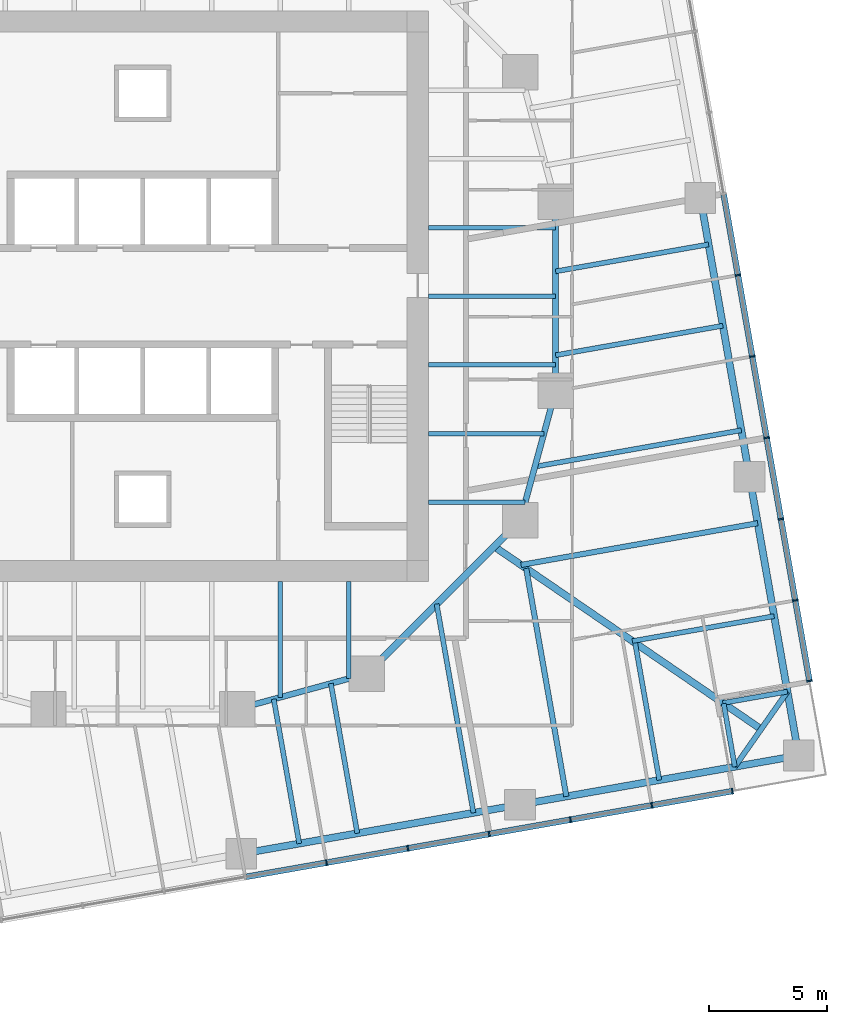
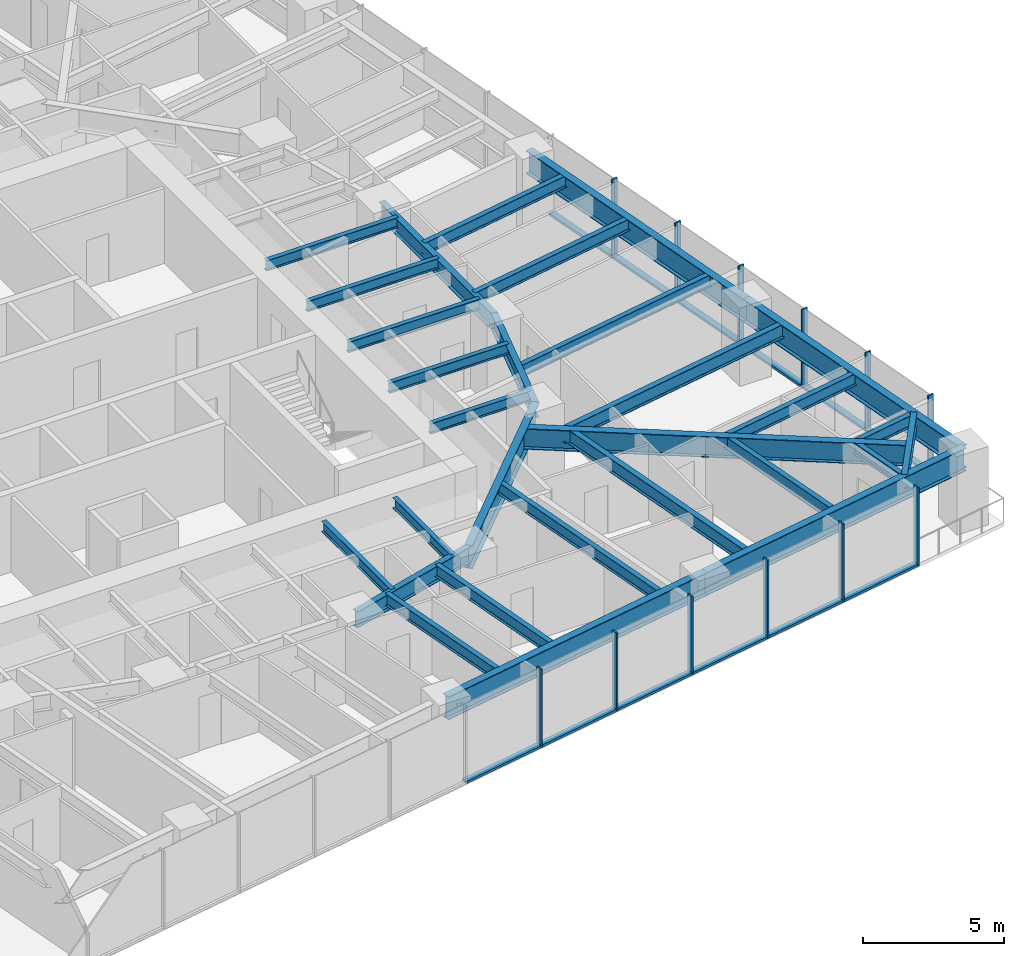
# One storey, part 4 of 14: 29 beams, 24 members, 2 elements without a shape of their own.
"""IFC4 building model written with IfcOpenShell, lengths in metres."""

from ifc_helpers import new_model, si_unit, direction, frame, origin, origin_2d, place, context, subcontext, project, spatial, rectangle, i_section, extrude, material, material_profile, profile_set, type_object, element, aggregate, save


model = new_model("IFC4")

# Units and contexts
model_context = context("Model", 3, precision=1e-05, world=origin(), true_north=direction((0.0, 1.0)))
body_context = subcontext(model_context, "Body", "Model", "MODEL_VIEW")
ifc_project = project(units=[si_unit("LENGTHUNIT", "METRE"), si_unit("AREAUNIT", "SQUARE_METRE"), si_unit("VOLUMEUNIT", "CUBIC_METRE"), si_unit("PLANEANGLEUNIT", "RADIAN"), si_unit("MASSUNIT", "GRAM", prefix="KILO")], contexts=[model_context])

# Site, building, storey
site_placement = place(None, origin())
site = spatial("IfcSite", under=ifc_project, at=site_placement, CompositionType="ELEMENT")
building_placement = place(site_placement, origin())
building = spatial("IfcBuilding", under=site, at=building_placement, Name="Torsade Residences", CompositionType="ELEMENT")
storey_placement = place(building_placement, frame((0.0, 0.0, 99.800048828125)))
storey = spatial("IfcBuildingStorey", under=building, at=storey_placement, Name="L27", CompositionType="ELEMENT", Elevation=99.800048828125)

# Beams
ifc_material_1 = material(Name="Steel grade 300", Category="steel")
ifc_material_profile_1 = material_profile(ifc_material_1, i_section(OverallWidth=0.300048828125, OverallDepth=0.89990234375, WebThickness=0.011962890625, FlangeThickness=0.02490234375, at=origin_2d()), Name="900WB175")
ifc_profile_set_1 = profile_set([ifc_material_profile_1], Name="Steel grade 300")
beam_type_1 = type_object("IfcBeamType", Name="CORNER GIRDER 900WB175", PredefinedType="BEAM", material=ifc_profile_set_1)
beam_1_placement = place(storey_placement, frame((66.2099609375, 11.6474609375, 2.800048828125), z_axis=(-0.825279313977, 0.564724759437, 0.0), x_axis=(-0.564724759437, -0.825279313977, 0.0)))
element("IfcBeam", 1, at=beam_1_placement, inside=storey, type_object=beam_type_1, Name="Corner girder 05 L28", PredefinedType="BEAM", context=body_context, shape_type="SweptSolid", body=[
    extrude(i_section(OverallWidth=0.300048828125, OverallDepth=0.89990234375, WebThickness=0.011962890625, FlangeThickness=0.02490234375, at=origin_2d()), origin(), (0.0, 0.0, 1.0), 13.7138671875),
])
ifc_material_2 = material(Name="Steel grade 300", Category="steel")
ifc_material_profile_2 = material_profile(ifc_material_2, i_section(OverallWidth=0.22802734375, OverallDepth=0.60205078125, WebThickness=0.010498046875, FlangeThickness=0.014892578125, FilletRadius=0.013916015625, at=origin_2d()), Name="610UB101")
ifc_profile_set_2 = profile_set([ifc_material_profile_2], Name="Steel grade 300")
beam_type_2 = type_object("IfcBeamType", Name="CORNER TRIMMER 610UB101", PredefinedType="BEAM", material=ifc_profile_set_2)
beam_2_placement = place(storey_placement, frame((67.325439453125, 13.240478515625, 2.948974609375), z_axis=(-0.573576092373, -0.819152285145, 0.0), x_axis=(0.819152285145, -0.573576092373, 0.0)))
element("IfcBeam", 2, at=beam_2_placement, inside=storey, type_object=beam_type_2, Name="Corner trimmer 05 L28", PredefinedType="BEAM", context=body_context, shape_type="SweptSolid", body=[
    extrude(i_section(OverallWidth=0.22802734375, OverallDepth=0.60205078125, WebThickness=0.010498046875, FlangeThickness=0.014892578125, FilletRadius=0.013916015625, at=origin_2d()), origin(), (0.0, 0.0, 1.0), 3.88916015625),
])

# Curtain wall, members
ifc_material_3 = material(Name="Aluminium and glass", Category="aluminium")
curtain_wall_type = type_object("IfcCurtainWallType", Name="FRITTED GLASS CURTAIN WALL LOW ZONE", PredefinedType="NOTDEFINED", material=ifc_material_3)
curtain_wall_1_placement = place(storey_placement, origin())
curtain_wall_1 = element("IfcCurtainWall", 3, at=curtain_wall_1_placement, inside=storey, type_object=curtain_wall_type, Name="Curtain wall L27 face 1", PredefinedType="NOTDEFINED")
ifc_material_4 = material(Name="Aluminium mullion", Category="aluminium")
ifc_material_profile_3 = material_profile(ifc_material_4, rectangle(XDim=0.25, YDim=0.06494140625, at=origin_2d()), Name="CURTAIN WALL MULLION 250x65")
ifc_profile_set_3 = profile_set([ifc_material_profile_3], Name="Aluminium mullion")
member_type_1 = type_object("IfcMemberType", Name="CURTAIN WALL MULLION 250x65", PredefinedType="MULLION", material=ifc_profile_set_3)
member_1_placement = place(storey_placement, frame((47.7880859375, 5.987548828125, 0.0), z_axis=(0.0, 0.0, 1.0), x_axis=(-0.173648192638, 0.984807750372, 0.0)))
member_1 = element("IfcMember", 4, at=member_1_placement, type_object=member_type_1, Name="Mullion 8", PredefinedType="MULLION", context=body_context, shape_type="SweptSolid", body=[
    extrude(rectangle(XDim=0.25, YDim=0.06494140625, at=origin_2d()), origin(), (0.0, 0.0, 1.0), 3.39990234375),
])
member_2_placement = place(storey_placement, frame((51.23486328125, 6.595458984375, 0.0), z_axis=(0.0, 0.0, 1.0), x_axis=(-0.173648192638, 0.984807750372, 0.0)))
member_2 = element("IfcMember", 5, at=member_2_placement, type_object=member_type_1, Name="Mullion 9", PredefinedType="MULLION", context=body_context, shape_type="SweptSolid", body=[
    extrude(rectangle(XDim=0.25, YDim=0.06494140625, at=origin_2d()), origin(), (0.0, 0.0, 1.0), 3.39990234375),
])
member_3_placement = place(storey_placement, frame((54.681640625, 7.203125, 0.0), z_axis=(0.0, 0.0, 1.0), x_axis=(-0.173648192638, 0.984807750372, 0.0)))
member_3 = element("IfcMember", 6, at=member_3_placement, type_object=member_type_1, Name="Mullion 10", PredefinedType="MULLION", context=body_context, shape_type="SweptSolid", body=[
    extrude(rectangle(XDim=0.25, YDim=0.06494140625, at=origin_2d()), origin(), (0.0, 0.0, 1.0), 3.39990234375),
])
member_4_placement = place(storey_placement, frame((58.12841796875, 7.810791015625, 0.0), z_axis=(0.0, 0.0, 1.0), x_axis=(-0.173648192638, 0.984807750372, 0.0)))
member_4 = element("IfcMember", 7, at=member_4_placement, type_object=member_type_1, Name="Mullion 11", PredefinedType="MULLION", context=body_context, shape_type="SweptSolid", body=[
    extrude(rectangle(XDim=0.25, YDim=0.06494140625, at=origin_2d()), origin(), (0.0, 0.0, 1.0), 3.39990234375),
])
member_5_placement = place(storey_placement, frame((61.575439453125, 8.418701171875, 0.0), z_axis=(0.0, 0.0, 1.0), x_axis=(-0.173648192638, 0.984807750372, 0.0)))
member_5 = element("IfcMember", 8, at=member_5_placement, type_object=member_type_1, Name="Mullion 12", PredefinedType="MULLION", context=body_context, shape_type="SweptSolid", body=[
    extrude(rectangle(XDim=0.25, YDim=0.06494140625, at=origin_2d()), origin(), (0.0, 0.0, 1.0), 3.39990234375),
])
member_6_placement = place(storey_placement, frame((64.990234375, 9.020751953125, 0.0), z_axis=(0.0, 0.0, 1.0), x_axis=(-0.173648192638, 0.984807750372, 0.0)))
member_6 = element("IfcMember", 9, at=member_6_placement, type_object=member_type_1, Name="Mullion 13", PredefinedType="MULLION", context=body_context, shape_type="SweptSolid", body=[
    extrude(rectangle(XDim=0.25, YDim=0.06494140625, at=origin_2d()), origin(), (0.0, 0.0, 1.0), 3.39990234375),
])

curtain_wall_2_placement = place(storey_placement, origin())
curtain_wall_2 = element("IfcCurtainWall", 10, at=curtain_wall_2_placement, inside=storey, type_object=curtain_wall_type, Name="Curtain wall L27 face 4", PredefinedType="NOTDEFINED")
member_7_placement = place(storey_placement, frame((68.26123046875, 13.692138671875, 0.0), z_axis=(0.0, 0.0, 1.0), x_axis=(-0.984807750372, -0.173648192638, 0.0)))
member_7 = element("IfcMember", 11, at=member_7_placement, type_object=member_type_1, Name="Mullion 1", PredefinedType="MULLION", context=body_context, shape_type="SweptSolid", body=[
    extrude(rectangle(XDim=0.25, YDim=0.06494140625, at=origin_2d()), origin(), (0.0, 0.0, 1.0), 3.39990234375),
])
member_8_placement = place(storey_placement, frame((67.658935546875, 17.107177734375, 0.0), z_axis=(0.0, 0.0, 1.0), x_axis=(-0.984807750372, -0.173648192638, 0.0)))
member_8 = element("IfcMember", 12, at=member_8_placement, type_object=member_type_1, Name="Mullion 2", PredefinedType="MULLION", context=body_context, shape_type="SweptSolid", body=[
    extrude(rectangle(XDim=0.25, YDim=0.06494140625, at=origin_2d()), origin(), (0.0, 0.0, 1.0), 3.39990234375),
])
member_9_placement = place(storey_placement, frame((67.05126953125, 20.553955078125, 0.0), z_axis=(0.0, 0.0, 1.0), x_axis=(-0.984807750372, -0.173648192638, 0.0)))
member_9 = element("IfcMember", 13, at=member_9_placement, type_object=member_type_1, Name="Mullion 3", PredefinedType="MULLION", context=body_context, shape_type="SweptSolid", body=[
    extrude(rectangle(XDim=0.25, YDim=0.06494140625, at=origin_2d()), origin(), (0.0, 0.0, 1.0), 3.39990234375),
])
member_10_placement = place(storey_placement, frame((66.443603515625, 24.000732421875, 0.0), z_axis=(0.0, 0.0, 1.0), x_axis=(-0.984807750372, -0.173648192638, 0.0)))
member_10 = element("IfcMember", 14, at=member_10_placement, type_object=member_type_1, Name="Mullion 4", PredefinedType="MULLION", context=body_context, shape_type="SweptSolid", body=[
    extrude(rectangle(XDim=0.25, YDim=0.06494140625, at=origin_2d()), origin(), (0.0, 0.0, 1.0), 3.39990234375),
])
member_11_placement = place(storey_placement, frame((65.835693359375, 27.447509765625, 0.0), z_axis=(0.0, 0.0, 1.0), x_axis=(-0.984807750372, -0.173648192638, 0.0)))
member_11 = element("IfcMember", 15, at=member_11_placement, type_object=member_type_1, Name="Mullion 5", PredefinedType="MULLION", context=body_context, shape_type="SweptSolid", body=[
    extrude(rectangle(XDim=0.25, YDim=0.06494140625, at=origin_2d()), origin(), (0.0, 0.0, 1.0), 3.39990234375),
])
member_12_placement = place(storey_placement, frame((65.22802734375, 30.894287109375, 0.0), z_axis=(0.0, 0.0, 1.0), x_axis=(-0.984807750372, -0.173648192638, 0.0)))
member_12 = element("IfcMember", 16, at=member_12_placement, type_object=member_type_1, Name="Mullion 6", PredefinedType="MULLION", context=body_context, shape_type="SweptSolid", body=[
    extrude(rectangle(XDim=0.25, YDim=0.06494140625, at=origin_2d()), origin(), (0.0, 0.0, 1.0), 3.39990234375),
])

# Member
ifc_material_5 = material(Name="Aluminium transom", Category="aluminium")
ifc_material_profile_4 = material_profile(ifc_material_5, rectangle(XDim=0.25, YDim=0.10009765625, at=origin_2d()), Name="CURTAIN WALL TRANSOM 250x100")
ifc_profile_set_4 = profile_set([ifc_material_profile_4], Name="Aluminium transom")
member_type_2 = type_object("IfcMemberType", Name="CURTAIN WALL TRANSOM 250x100", PredefinedType="USERDEFINED", material=ifc_profile_set_4)
member_13_placement = place(storey_placement, frame((44.373291015625, 5.385498046875, 0.050048828125), z_axis=(0.984810021497, 0.17363531196, 0.0), x_axis=(-0.17363531196, 0.984810021497, 0.0)))
member_13 = element("IfcMember", 17, at=member_13_placement, type_object=member_type_2, Name="Transom 7.1", ObjectType="TRANSOM", PredefinedType="USERDEFINED", context=body_context, shape_type="SweptSolid", body=[
    extrude(rectangle(XDim=0.25, YDim=0.10009765625, at=origin_2d()), origin(), (0.0, 0.0, 1.0), 3.43505859375),
])

member_14_placement = place(storey_placement, frame((47.820068359375, 5.9931640625, 0.050048828125), z_axis=(0.984810021497, 0.17363531196, 0.0), x_axis=(-0.17363531196, 0.984810021497, 0.0)))
member_14 = element("IfcMember", 18, at=member_14_placement, type_object=member_type_2, Name="Transom 8.1", ObjectType="TRANSOM", PredefinedType="USERDEFINED", context=body_context, shape_type="SweptSolid", body=[
    extrude(rectangle(XDim=0.25, YDim=0.10009765625, at=origin_2d()), origin(), (0.0, 0.0, 1.0), 3.43505859375),
])

member_15_placement = place(storey_placement, frame((51.266845703125, 6.60107421875, 0.050048828125), z_axis=(0.984810021497, 0.17363531196, 0.0), x_axis=(-0.17363531196, 0.984810021497, 0.0)))
member_15 = element("IfcMember", 19, at=member_15_placement, type_object=member_type_2, Name="Transom 9.1", ObjectType="TRANSOM", PredefinedType="USERDEFINED", context=body_context, shape_type="SweptSolid", body=[
    extrude(rectangle(XDim=0.25, YDim=0.10009765625, at=origin_2d()), origin(), (0.0, 0.0, 1.0), 3.43505859375),
])

member_16_placement = place(storey_placement, frame((54.713623046875, 7.208740234375, 0.050048828125), z_axis=(0.984810021497, 0.17363531196, 0.0), x_axis=(-0.17363531196, 0.984810021497, 0.0)))
member_16 = element("IfcMember", 20, at=member_16_placement, type_object=member_type_2, Name="Transom 10.1", ObjectType="TRANSOM", PredefinedType="USERDEFINED", context=body_context, shape_type="SweptSolid", body=[
    extrude(rectangle(XDim=0.25, YDim=0.10009765625, at=origin_2d()), origin(), (0.0, 0.0, 1.0), 3.43505859375),
])

member_17_placement = place(storey_placement, frame((58.160400390625, 7.81640625, 0.050048828125), z_axis=(0.98479786563, 0.173704242465, 0.0), x_axis=(-0.173704242465, 0.98479786563, 0.0)))
member_17 = element("IfcMember", 21, at=member_17_placement, type_object=member_type_2, Name="Transom 11.1", ObjectType="TRANSOM", PredefinedType="USERDEFINED", context=body_context, shape_type="SweptSolid", body=[
    extrude(rectangle(XDim=0.25, YDim=0.10009765625, at=origin_2d()), origin(), (0.0, 0.0, 1.0), 3.43505859375),
])

member_18_placement = place(storey_placement, frame((61.607421875, 8.42431640625, 0.050048828125), z_axis=(0.984808830466, 0.173642067011, 0.0), x_axis=(-0.173642067011, 0.984808830466, 0.0)))
member_18 = element("IfcMember", 22, at=member_18_placement, type_object=member_type_2, Name="Transom 12.1", ObjectType="TRANSOM", PredefinedType="USERDEFINED", context=body_context, shape_type="SweptSolid", body=[
    extrude(rectangle(XDim=0.25, YDim=0.10009765625, at=origin_2d()), origin(), (0.0, 0.0, 1.0), 3.402587890625),
])

aggregate(curtain_wall_1, [member_1, member_2, member_3, member_4, member_5, member_6, member_13, member_14, member_15, member_16, member_17, member_18])

member_19_placement = place(storey_placement, frame((68.255615234375, 13.724365234375, 0.050048828125), z_axis=(-0.173654337918, 0.984806666774, 0.0), x_axis=(-0.984806666774, -0.173654337918, 0.0)))
member_19 = element("IfcMember", 23, at=member_19_placement, type_object=member_type_2, Name="Transom 1.1", ObjectType="TRANSOM", PredefinedType="USERDEFINED", context=body_context, shape_type="SweptSolid", body=[
    extrude(rectangle(XDim=0.25, YDim=0.10009765625, at=origin_2d()), origin(), (0.0, 0.0, 1.0), 3.40234375),
])

member_20_placement = place(storey_placement, frame((67.6533203125, 17.13916015625, 0.050048828125), z_axis=(-0.17363531196, 0.984810021497, 0.0), x_axis=(-0.984810021497, -0.17363531196, 0.0)))
member_20 = element("IfcMember", 24, at=member_20_placement, type_object=member_type_2, Name="Transom 2.1", ObjectType="TRANSOM", PredefinedType="USERDEFINED", context=body_context, shape_type="SweptSolid", body=[
    extrude(rectangle(XDim=0.25, YDim=0.10009765625, at=origin_2d()), origin(), (0.0, 0.0, 1.0), 3.43505859375),
])

member_21_placement = place(storey_placement, frame((67.045654296875, 20.5859375, 0.050048828125), z_axis=(-0.17363531196, 0.984810021497, 0.0), x_axis=(-0.984810021497, -0.17363531196, 0.0)))
member_21 = element("IfcMember", 25, at=member_21_placement, type_object=member_type_2, Name="Transom 3.1", ObjectType="TRANSOM", PredefinedType="USERDEFINED", context=body_context, shape_type="SweptSolid", body=[
    extrude(rectangle(XDim=0.25, YDim=0.10009765625, at=origin_2d()), origin(), (0.0, 0.0, 1.0), 3.43505859375),
])

member_22_placement = place(storey_placement, frame((66.437744140625, 24.03271484375, 0.050048828125), z_axis=(-0.17363531196, 0.984810021497, 0.0), x_axis=(-0.984810021497, -0.17363531196, 0.0)))
member_22 = element("IfcMember", 26, at=member_22_placement, type_object=member_type_2, Name="Transom 4.1", ObjectType="TRANSOM", PredefinedType="USERDEFINED", context=body_context, shape_type="SweptSolid", body=[
    extrude(rectangle(XDim=0.25, YDim=0.10009765625, at=origin_2d()), origin(), (0.0, 0.0, 1.0), 3.43505859375),
])

member_23_placement = place(storey_placement, frame((65.830078125, 27.4794921875, 0.050048828125), z_axis=(-0.17363531196, 0.984810021497, 0.0), x_axis=(-0.984810021497, -0.17363531196, 0.0)))
member_23 = element("IfcMember", 27, at=member_23_placement, type_object=member_type_2, Name="Transom 5.1", ObjectType="TRANSOM", PredefinedType="USERDEFINED", context=body_context, shape_type="SweptSolid", body=[
    extrude(rectangle(XDim=0.25, YDim=0.10009765625, at=origin_2d()), origin(), (0.0, 0.0, 1.0), 3.43505859375),
])

member_24_placement = place(storey_placement, frame((65.222412109375, 30.92626953125, 0.050048828125), z_axis=(-0.173704242465, 0.98479786563, 0.0), x_axis=(-0.98479786563, -0.173704242465, 0.0)))
member_24 = element("IfcMember", 28, at=member_24_placement, type_object=member_type_2, Name="Transom 6.1", ObjectType="TRANSOM", PredefinedType="USERDEFINED", context=body_context, shape_type="SweptSolid", body=[
    extrude(rectangle(XDim=0.25, YDim=0.10009765625, at=origin_2d()), origin(), (0.0, 0.0, 1.0), 3.43505859375),
])

aggregate(curtain_wall_2, [member_7, member_8, member_9, member_10, member_11, member_12, member_19, member_20, member_21, member_22, member_23, member_24])

# Beams
ifc_material_6 = material(Name="Steel grade 300", Category="steel")
ifc_material_profile_5 = material_profile(ifc_material_6, i_section(OverallWidth=0.300048828125, OverallDepth=1.0, WebThickness=0.01611328125, FlangeThickness=0.028076171875, at=origin_2d()), Name="1000WB215")
ifc_profile_set_5 = profile_set([ifc_material_profile_5], Name="Steel grade 300")
beam_type_3 = type_object("IfcBeamType", Name="EDGE BEAM 1000WB215", PredefinedType="SPANDREL", material=ifc_profile_set_5)
beam_3_placement = place(storey_placement, frame((44.16748046875, 6.364501953125, 2.75), z_axis=(0.984805261243, 0.173662308598, 0.0), x_axis=(-0.173662308598, 0.984805261243, 0.0)))
element("IfcBeam", 29, at=beam_3_placement, inside=storey, type_object=beam_type_3, Name="Edge beam 03 L28", PredefinedType="SPANDREL", context=body_context, shape_type="SweptSolid", body=[
    extrude(i_section(OverallWidth=0.300048828125, OverallDepth=1.0, WebThickness=0.01611328125, FlangeThickness=0.028076171875, at=origin_2d()), origin(), (0.0, 0.0, 1.0), 12.000244140625),
])
for number, where, z_axis, x_axis, name in (
    (30, (55.9853515625, 8.448486328125, 2.75), (0.984808127031, 0.173646056486, 0.0), (-0.173646056486, 0.984808127031, 0.0), "Edge beam 04 L28"),
    (31, (67.802978515625, 10.5322265625, 2.75), (-0.173646056486, 0.984808127031, 0.0), (-0.984808127031, -0.173646056486, 0.0), "Edge beam 05 L28"),
    (32, (65.71923828125, 22.349853515625, 2.75), (-0.173646056486, 0.984808127031, 0.0), (-0.984808127031, -0.173646056486, 0.0), "Edge beam 06 L28"),
):
    element("IfcBeam", number, at=place(storey_placement, frame(where, z_axis=z_axis, x_axis=x_axis)), inside=storey, type_object=beam_type_3, Name=name, PredefinedType="SPANDREL", context=body_context, shape_type="SweptSolid", body=[
        extrude(i_section(OverallWidth=0.300048828125, OverallDepth=1.0, WebThickness=0.01611328125, FlangeThickness=0.028076171875, at=origin_2d()), origin(), (0.0, 0.0, 1.0), 12.0),
    ])
ifc_material_7 = material(Name="Steel grade 300", Category="steel")
ifc_material_profile_6 = material_profile(ifc_material_7, i_section(OverallWidth=0.18994140625, OverallDepth=0.4541015625, WebThickness=0.008544921875, FlangeThickness=0.0126953125, FilletRadius=0.011474609375, at=origin_2d()), Name="460UB67.1")
ifc_profile_set_6 = profile_set([ifc_material_profile_6], Name="Steel grade 300")
beam_type_4 = type_object("IfcBeamType", Name="INNER FLOOR BEAM 460UB67.1", PredefinedType="JOIST", material=ifc_profile_set_6)
beam_4_placement = place(storey_placement, frame((48.737548828125, 17.89990234375, 3.02294921875), z_axis=(0.0, -1.0, 0.0), x_axis=(1.0, 0.0, 0.0)))
element("IfcBeam", 33, at=beam_4_placement, inside=storey, type_object=beam_type_4, Name="Inner floor beam IS01 L28", PredefinedType="JOIST", context=body_context, shape_type="SweptSolid", body=[
    extrude(i_section(OverallWidth=0.18994140625, OverallDepth=0.4541015625, WebThickness=0.008544921875, FlangeThickness=0.0126953125, FilletRadius=0.011474609375, at=origin_2d()), origin(), (0.0, 0.0, 1.0), 4.10791015625),
])
beam_5_placement = place(storey_placement, frame((45.824951171875, 17.89990234375, 3.02294921875), z_axis=(0.0, -1.0, 0.0), x_axis=(1.0, 0.0, 0.0)))
element("IfcBeam", 34, at=beam_5_placement, inside=storey, type_object=beam_type_4, Name="Inner floor beam IS02 L28", PredefinedType="JOIST", context=body_context, shape_type="SweptSolid", body=[
    extrude(i_section(OverallWidth=0.18994140625, OverallDepth=0.4541015625, WebThickness=0.008544921875, FlangeThickness=0.0126953125, FilletRadius=0.011474609375, at=origin_2d()), origin(), (0.0, 0.0, 1.0), 4.902099609375),
])
beam_6_placement = place(storey_placement, frame((52.10009765625, 21.262451171875, 3.02294921875), z_axis=(1.0, 0.0, 0.0), x_axis=(0.0, 1.0, 0.0)))
element("IfcBeam", 35, at=beam_6_placement, inside=storey, type_object=beam_type_4, Name="Inner floor beam IE01 L28", PredefinedType="JOIST", context=body_context, shape_type="SweptSolid", body=[
    extrude(i_section(OverallWidth=0.18994140625, OverallDepth=0.4541015625, WebThickness=0.008544921875, FlangeThickness=0.0126953125, FilletRadius=0.011474609375, at=origin_2d()), origin(), (0.0, 0.0, 1.0), 4.10791015625),
])
beam_7_placement = place(storey_placement, frame((52.10009765625, 24.175048828125, 3.02294921875), z_axis=(1.0, 0.0, 0.0), x_axis=(0.0, 1.0, 0.0)))
element("IfcBeam", 36, at=beam_7_placement, inside=storey, type_object=beam_type_4, Name="Inner floor beam IE02 L28", PredefinedType="JOIST", context=body_context, shape_type="SweptSolid", body=[
    extrude(i_section(OverallWidth=0.18994140625, OverallDepth=0.4541015625, WebThickness=0.008544921875, FlangeThickness=0.0126953125, FilletRadius=0.011474609375, at=origin_2d()), origin(), (0.0, 0.0, 1.0), 4.902099609375),
])
for number, where, z_axis, x_axis, name in (
    (37, (52.10009765625, 27.08740234375, 3.02294921875), (1.0, 0.0, 0.0), (0.0, 1.0, 0.0), "Inner floor beam IE03 L28"),
    (38, (52.10009765625, 30.0, 3.02294921875), (1.0, 0.0, 0.0), (0.0, 1.0, 0.0), "Inner floor beam IE04 L28"),
    (39, (52.10009765625, 32.91259765625, 3.02294921875), (1.0, 0.0, 0.0), (0.0, 1.0, 0.0), "Inner floor beam IE05 L28"),
):
    element("IfcBeam", number, at=place(storey_placement, frame(where, z_axis=z_axis, x_axis=x_axis)), inside=storey, type_object=beam_type_4, Name=name, PredefinedType="JOIST", context=body_context, shape_type="SweptSolid", body=[
        extrude(i_section(OverallWidth=0.18994140625, OverallDepth=0.4541015625, WebThickness=0.008544921875, FlangeThickness=0.0126953125, FilletRadius=0.011474609375, at=origin_2d()), origin(), (0.0, 0.0, 1.0), 5.39990234375),
    ])
ifc_material_8 = material(Name="Steel grade 300", Category="steel")
ifc_material_profile_7 = material_profile(ifc_material_8, i_section(OverallWidth=0.300048828125, OverallDepth=1.0, WebThickness=0.01611328125, FlangeThickness=0.028076171875, at=origin_2d()), Name="1000WB215")
ifc_profile_set_7 = profile_set([ifc_material_profile_7], Name="Steel grade 300")
beam_type_5 = type_object("IfcBeamType", Name="RING CORNER GIRDER 1000WB215", PredefinedType="BEAM", material=ifc_profile_set_7)
beam_8_placement = place(storey_placement, frame((49.5, 14.0, 2.75), z_axis=(0.707106781187, 0.707106781187, 0.0), x_axis=(-0.707106781187, 0.707106781187, 0.0)))
element("IfcBeam", 40, at=beam_8_placement, inside=storey, type_object=beam_type_5, Name="Ring girder IR15 L28", PredefinedType="BEAM", context=body_context, shape_type="SweptSolid", body=[
    extrude(i_section(OverallWidth=0.300048828125, OverallDepth=1.0, WebThickness=0.01611328125, FlangeThickness=0.028076171875, at=origin_2d()), origin(), (0.0, 0.0, 1.0), 9.1923828125),
])
ifc_material_9 = material(Name="Steel grade 300", Category="steel")
ifc_material_profile_8 = material_profile(ifc_material_9, i_section(OverallWidth=0.25, OverallDepth=0.699951171875, WebThickness=0.010009765625, FlangeThickness=0.02001953125, at=origin_2d()), Name="700WB130")
ifc_profile_set_8 = profile_set([ifc_material_profile_8], Name="Steel grade 300")
beam_type_6 = type_object("IfcBeamType", Name="RING GIRDER 700WB130", PredefinedType="BEAM", material=ifc_profile_set_8)
beam_9_placement = place(storey_placement, frame((57.5, 26.0, 2.89990234375), z_axis=(0.0, 1.0, 0.0), x_axis=(-1.0, 0.0, 0.0)))
element("IfcBeam", 41, at=beam_9_placement, inside=storey, type_object=beam_type_6, Name="Ring girder IR01 L28", PredefinedType="BEAM", context=body_context, shape_type="SweptSolid", body=[
    extrude(i_section(OverallWidth=0.25, OverallDepth=0.699951171875, WebThickness=0.010009765625, FlangeThickness=0.02001953125, at=origin_2d()), origin(), (0.0, 0.0, 1.0), 8.0),
])
for number, where, z_axis, x_axis, name in (
    (42, (44.0, 12.5, 2.89990234375), (0.964763821238, 0.263117405792, 0.0), (-0.263117405792, 0.964763821238, 0.0), "Ring girder IR14 L28"),
    (43, (56.0, 20.5, 2.89990234375), (0.263117405792, 0.964763821238, 0.0), (-0.964763821238, 0.263117405792, 0.0), "Ring girder IR16 L28"),
):
    element("IfcBeam", number, at=place(storey_placement, frame(where, z_axis=z_axis, x_axis=x_axis)), inside=storey, type_object=beam_type_6, Name=name, PredefinedType="BEAM", context=body_context, shape_type="SweptSolid", body=[
        extrude(i_section(OverallWidth=0.25, OverallDepth=0.699951171875, WebThickness=0.010009765625, FlangeThickness=0.02001953125, at=origin_2d()), origin(), (0.0, 0.0, 1.0), 5.700927734375),
    ])
ifc_material_10 = material(Name="Steel grade 300", Category="steel")
ifc_material_profile_9 = material_profile(ifc_material_10, i_section(OverallWidth=0.208984375, OverallDepth=0.528076171875, WebThickness=0.009521484375, FlangeThickness=0.01318359375, FilletRadius=0.013916015625, at=origin_2d()), Name="530UB82.0")
ifc_profile_set_9 = profile_set([ifc_material_profile_9], Name="Steel grade 300")
beam_type_7 = type_object("IfcBeamType", Name="SECONDARY BEAM 530UB82.0", PredefinedType="JOIST", material=ifc_profile_set_9)
beam_10_placement = place(storey_placement, frame((46.629638671875, 6.798828125, 2.98583984375), z_axis=(-0.173655425542, 0.984806474989, 0.0), x_axis=(-0.984806474989, -0.173655425542, 0.0)))
element("IfcBeam", 44, at=beam_10_placement, inside=storey, type_object=beam_type_7, Name="Floor beam FS07 L28", PredefinedType="JOIST", context=body_context, shape_type="SweptSolid", body=[
    extrude(i_section(OverallWidth=0.208984375, OverallDepth=0.528076171875, WebThickness=0.009521484375, FlangeThickness=0.01318359375, FilletRadius=0.013916015625, at=origin_2d()), origin(), (0.0, 0.0, 1.0), 6.21826171875),
])
beam_11_placement = place(storey_placement, frame((49.091552734375, 7.23291015625, 2.98583984375), z_axis=(-0.17363198078, 0.984810608823, 0.0), x_axis=(-0.984810608823, -0.17363198078, 0.0)))
element("IfcBeam", 45, at=beam_11_placement, inside=storey, type_object=beam_type_7, Name="Floor beam FS08 L28", PredefinedType="JOIST", context=body_context, shape_type="SweptSolid", body=[
    extrude(i_section(OverallWidth=0.208984375, OverallDepth=0.528076171875, WebThickness=0.009521484375, FlangeThickness=0.01318359375, FilletRadius=0.013916015625, at=origin_2d()), origin(), (0.0, 0.0, 1.0), 6.4482421875),
])
beam_12_placement = place(storey_placement, frame((54.015625, 8.10107421875, 2.98583984375), z_axis=(-0.173639706679, 0.984809246638, 0.0), x_axis=(-0.984809246638, -0.173639706679, 0.0)))
element("IfcBeam", 46, at=beam_12_placement, inside=storey, type_object=beam_type_7, Name="Floor beam FS09 L28", PredefinedType="JOIST", context=body_context, shape_type="SweptSolid", body=[
    extrude(i_section(OverallWidth=0.208984375, OverallDepth=0.528076171875, WebThickness=0.009521484375, FlangeThickness=0.01318359375, FilletRadius=0.013916015625, at=origin_2d()), origin(), (0.0, 0.0, 1.0), 8.989990234375),
])
beam_13_placement = place(storey_placement, frame((61.89404296875, 9.490234375, 2.98583984375), z_axis=(-0.173629569808, 0.984811033899, 0.0), x_axis=(-0.984811033899, -0.173629569808, 0.0)))
element("IfcBeam", 47, at=beam_13_placement, inside=storey, type_object=beam_type_7, Name="Floor beam FS11 L28", PredefinedType="JOIST", context=body_context, shape_type="SweptSolid", body=[
    extrude(i_section(OverallWidth=0.208984375, OverallDepth=0.528076171875, WebThickness=0.009521484375, FlangeThickness=0.01318359375, FilletRadius=0.013916015625, at=origin_2d()), origin(), (0.0, 0.0, 1.0), 5.9013671875),
])
beam_14_placement = place(storey_placement, frame((65.0947265625, 10.0546875, 2.98583984375), z_axis=(-0.17364710834, 0.984807941563, 0.0), x_axis=(-0.984807941563, -0.17364710834, 0.0)))
element("IfcBeam", 48, at=beam_14_placement, inside=storey, type_object=beam_type_7, Name="Floor beam FS12 L28", PredefinedType="JOIST", context=body_context, shape_type="SweptSolid", body=[
    extrude(i_section(OverallWidth=0.208984375, OverallDepth=0.528076171875, WebThickness=0.009521484375, FlangeThickness=0.01318359375, FilletRadius=0.013916015625, at=origin_2d()), origin(), (0.0, 0.0, 1.0), 2.720458984375),
])
beam_15_placement = place(storey_placement, frame((67.325439453125, 13.240478515625, 2.98583984375), z_axis=(-0.984797700832, -0.173705176765, 0.0), x_axis=(0.173705176765, -0.984797700832, 0.0)))
element("IfcBeam", 49, at=beam_15_placement, inside=storey, type_object=beam_type_7, Name="Floor beam FE01 L28", PredefinedType="JOIST", context=body_context, shape_type="SweptSolid", body=[
    extrude(i_section(OverallWidth=0.208984375, OverallDepth=0.528076171875, WebThickness=0.009521484375, FlangeThickness=0.01318359375, FilletRadius=0.013916015625, at=origin_2d()), origin(), (0.0, 0.0, 1.0), 2.780029296875),
])
beam_16_placement = place(storey_placement, frame((66.760986328125, 16.44091796875, 2.98583984375), z_axis=(-0.984809331556, -0.173639225065, 0.0), x_axis=(0.173639225065, -0.984809331556, 0.0)))
element("IfcBeam", 50, at=beam_16_placement, inside=storey, type_object=beam_type_7, Name="Floor beam FE02 L28", PredefinedType="JOIST", context=body_context, shape_type="SweptSolid", body=[
    extrude(i_section(OverallWidth=0.208984375, OverallDepth=0.528076171875, WebThickness=0.009521484375, FlangeThickness=0.01318359375, FilletRadius=0.013916015625, at=origin_2d()), origin(), (0.0, 0.0, 1.0), 6.100830078125),
])
beam_17_placement = place(storey_placement, frame((65.371826171875, 24.319580078125, 2.98583984375), z_axis=(-0.984804296147, -0.173667781384, 0.0), x_axis=(0.173667781384, -0.984804296147, 0.0)))
element("IfcBeam", 51, at=beam_17_placement, inside=storey, type_object=beam_type_7, Name="Floor beam FE04 L28", PredefinedType="JOIST", context=body_context, shape_type="SweptSolid", body=[
    extrude(i_section(OverallWidth=0.208984375, OverallDepth=0.528076171875, WebThickness=0.009521484375, FlangeThickness=0.01318359375, FilletRadius=0.013916015625, at=origin_2d()), origin(), (0.0, 0.0, 1.0), 8.885986328125),
])
beam_18_placement = place(storey_placement, frame((64.59033203125, 28.751220703125, 2.98583984375), z_axis=(-0.984807104535, -0.173651855324, 0.0), x_axis=(0.173651855324, -0.984807104535, 0.0)))
element("IfcBeam", 52, at=beam_18_placement, inside=storey, type_object=beam_type_7, Name="Floor beam FE05 L28", PredefinedType="JOIST", context=body_context, shape_type="SweptSolid", body=[
    extrude(i_section(OverallWidth=0.208984375, OverallDepth=0.528076171875, WebThickness=0.009521484375, FlangeThickness=0.01318359375, FilletRadius=0.013916015625, at=origin_2d()), origin(), (0.0, 0.0, 1.0), 7.19970703125),
])
beam_19_placement = place(storey_placement, frame((63.982666015625, 32.197998046875, 2.98583984375), z_axis=(-0.984807818459, -0.173647806501, 0.0), x_axis=(0.173647806501, -0.984807818459, 0.0)))
element("IfcBeam", 53, at=beam_19_placement, inside=storey, type_object=beam_type_7, Name="Floor beam FE06 L28", PredefinedType="JOIST", context=body_context, shape_type="SweptSolid", body=[
    extrude(i_section(OverallWidth=0.208984375, OverallDepth=0.528076171875, WebThickness=0.009521484375, FlangeThickness=0.01318359375, FilletRadius=0.013916015625, at=origin_2d()), origin(), (0.0, 0.0, 1.0), 6.582763671875),
])
ifc_material_11 = material(Name="Steel grade 300", Category="steel")
ifc_material_profile_10 = material_profile(ifc_material_11, i_section(OverallWidth=0.22900390625, OverallDepth=0.612060546875, WebThickness=0.011962890625, FlangeThickness=0.01953125, FilletRadius=0.013916015625, at=origin_2d()), Name="610UB125")
ifc_profile_set_10 = profile_set([ifc_material_profile_10], Name="Steel grade 300")
beam_type_8 = type_object("IfcBeamType", Name="SECONDARY BEAM 610UB125", PredefinedType="JOIST", material=ifc_profile_set_10)
beam_20_placement = place(storey_placement, frame((57.954833984375, 8.795654296875, 2.94384765625), z_axis=(-0.173651961637, 0.984807085789, 0.0), x_axis=(-0.984807085789, -0.173651961637, 0.0)))
element("IfcBeam", 54, at=beam_20_placement, inside=storey, type_object=beam_type_8, Name="Floor beam FS10 L28", PredefinedType="JOIST", context=body_context, shape_type="SweptSolid", body=[
    extrude(i_section(OverallWidth=0.22900390625, OverallDepth=0.612060546875, WebThickness=0.011962890625, FlangeThickness=0.01953125, FilletRadius=0.013916015625, at=origin_2d()), origin(), (0.0, 0.0, 1.0), 9.816162109375),
])
beam_21_placement = place(storey_placement, frame((66.06640625, 20.380126953125, 2.94384765625), z_axis=(-0.984808397525, -0.173644522411, 0.0), x_axis=(0.173644522411, -0.984808397525, 0.0)))
element("IfcBeam", 55, at=beam_21_placement, inside=storey, type_object=beam_type_8, Name="Floor beam FE03 L28", PredefinedType="JOIST", context=body_context, shape_type="SweptSolid", body=[
    extrude(i_section(OverallWidth=0.22900390625, OverallDepth=0.612060546875, WebThickness=0.011962890625, FlangeThickness=0.01953125, FilletRadius=0.013916015625, at=origin_2d()), origin(), (0.0, 0.0, 1.0), 10.187744140625),
])

save(model, "model.ifc")
